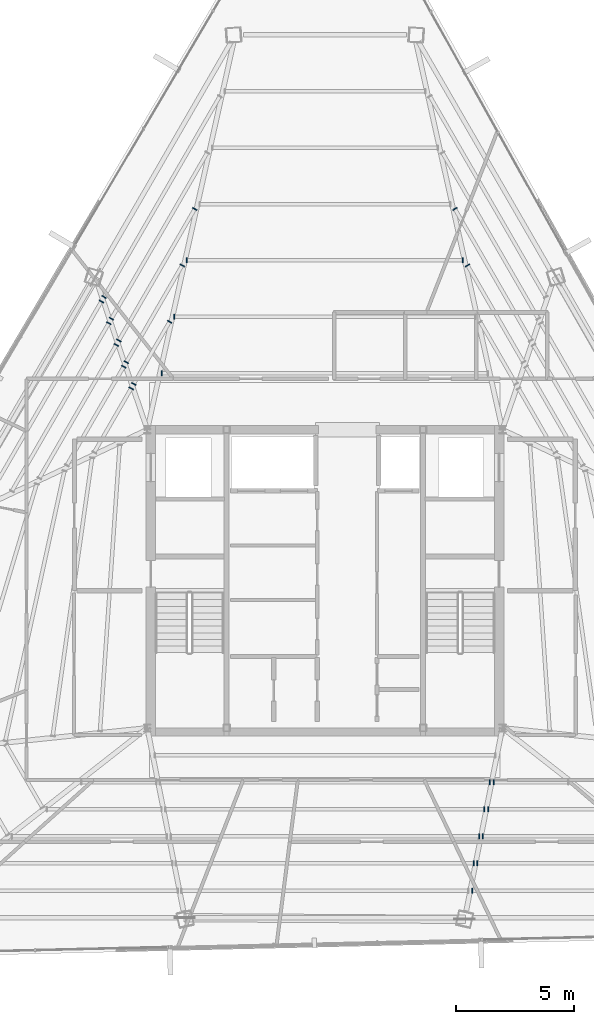
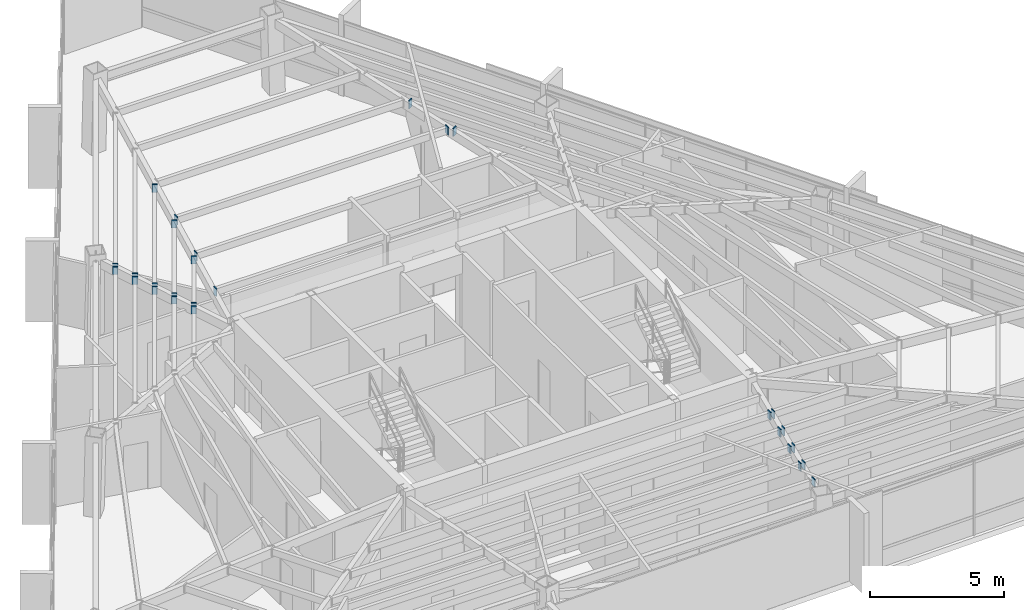
# One storey, part 39 of 47: 28 plates.
"""IFC4 building model written with IfcOpenShell, lengths in metres."""

from ifc_helpers import new_model, si_unit, direction, frame, origin, origin_2d, place, context, subcontext, project, spatial, rectangle, extrude, source, transform, mapped, material, layer, layer_set, type_object, type_shapes, element, save


model = new_model("IFC4")

# Units and contexts
model_context = context("Model", 3, precision=1e-05, world=origin(), true_north=direction((0.0, 1.0)))
body_context = subcontext(model_context, "Body", "Model", "MODEL_VIEW")
ifc_project = project(units=[si_unit("LENGTHUNIT", "METRE"), si_unit("AREAUNIT", "SQUARE_METRE"), si_unit("VOLUMEUNIT", "CUBIC_METRE"), si_unit("PLANEANGLEUNIT", "RADIAN"), si_unit("MASSUNIT", "GRAM", prefix="KILO")], contexts=[model_context])

# Site, building, storey
site_placement = place(None, origin())
site = spatial("IfcSite", under=ifc_project, at=site_placement, CompositionType="ELEMENT")
building_placement = place(site_placement, origin())
building = spatial("IfcBuilding", under=site, at=building_placement, Name="Caelisora Broadcast Tower", CompositionType="ELEMENT")
storey_placement = place(building_placement, frame((0.0, 0.0, 255.39990234375)))
storey = spatial("IfcBuildingStorey", under=building, at=storey_placement, Name="L67", CompositionType="ELEMENT", Elevation=255.39990234375)

# Plates
ifc_material = material(Name="Steel Grade 350 L15 (AS/NZS 3678)", Category="steel")
ifc_layer = layer(ifc_material, 0.0400390625, Name="Steel Grade 350 L15 (AS/NZS 3678)")
ifc_layer_set = layer_set([ifc_layer], Name="Steel Grade 350 L15 (AS/NZS 3678)")
plate_type = type_object("IfcPlateType", Name="GP04", PredefinedType="USERDEFINED", material=ifc_layer_set)
shared_shape = source(origin(), body_context, "Body", "SweptSolid", [
    extrude(rectangle(XDim=0.2099609375, YDim=0.0400390625, at=origin_2d()), origin(), (0.0, 0.0, 1.0), 0.360107421875),
])
type_shapes(plate_type, [shared_shape])
for number, where, z_axis, x_axis, name in (
    (1, (31.110595703125, 32.3828125, 3.06982421875), (0.0, 0.0, 1.0), (0.0, -1.0, 0.0), "L67 gusset plate GP04 (ND-SB-L67-001B)"),
    (2, (31.6416015625, 34.765380859375, 3.06982421875), (0.0, 0.0, 1.0), (0.0, -1.0, 0.0), "L67 gusset plate GP04 (ND-SB-L67-002B)"),
    (3, (43.827392578125, 37.148193359375, 3.06982421875), (0.0, 0.0, 1.0), (0.0, -1.0, 0.0), "L67 gusset plate GP04 (ND-SB-L67-003A)"),
    (4, (32.172607421875, 37.148193359375, 3.06982421875), (0.0, 0.0, 1.0), (0.0, -1.0, 0.0), "L67 gusset plate GP04 (ND-SB-L67-003B)"),
    (5, (31.44189453125, 34.5576171875, 3.06982421875), (0.0, 0.0, 1.0), (0.866025403784, -0.5, 0.0), "L67 gusset plate GP04 (ND-SB-L67-007A)"),
    (6, (29.926513671875, 31.9326171875, 3.06982421875), (0.0, 0.0, 1.0), (0.866025403784, -0.5, 0.0), "L67 gusset plate GP04 (ND-SB-L67-007B)"),
    (7, (31.972900390625, 36.940185546875, 3.06982421875), (0.0, 0.0, 1.0), (0.866025403784, -0.5, 0.0), "L67 gusset plate GP04 (ND-SB-L67-008A)"),
    (8, (29.6123046875, 32.851318359375, 3.06982421875), (0.0, 0.0, 1.0), (0.866025403784, -0.5, 0.0), "L67 gusset plate GP04 (ND-SB-L67-008B)"),
    (9, (32.504150390625, 39.322998046875, 3.06982421875), (0.0, 0.0, 1.0), (0.866025403784, -0.5, 0.0), "L67 gusset plate GP04 (ND-SB-L67-009A)"),
    (10, (29.298095703125, 33.770263671875, 3.06982421875), (0.0, 0.0, 1.0), (0.866025403784, -0.5, 0.0), "L67 gusset plate GP04 (ND-SB-L67-009B)"),
    (11, (28.98388671875, 34.68896484375, 3.06982421875), (0.0, 0.0, 1.0), (0.866025403784, -0.5, 0.0), "L67 gusset plate GP04 (ND-SB-L67-010B)"),
    (12, (28.669921875, 35.60791015625, 3.06982421875), (0.0, 0.0, 1.0), (0.866025403784, -0.5, 0.0), "L67 gusset plate GP04 (ND-SB-L67-011B)"),
    (13, (29.81689453125, 31.74267578125, 3.06982421875), (0.0, 0.0, 1.0), (0.866025403784, -0.5, 0.0), "L67 gusset plate GP04 (ND-SB-L67-012A)"),
    (14, (29.502685546875, 32.661376953125, 3.06982421875), (0.0, 0.0, 1.0), (0.866025403784, -0.5, 0.0), "L67 gusset plate GP04 (ND-SB-L67-013A)"),
    (15, (29.1884765625, 33.580078125, 3.06982421875), (0.0, 0.0, 1.0), (0.866025403784, -0.5, 0.0), "L67 gusset plate GP04 (ND-SB-L67-014A)"),
    (16, (28.874267578125, 34.4990234375, 3.06982421875), (0.0, 0.0, 1.0), (0.866025403784, -0.5, 0.0), "L67 gusset plate GP04 (ND-SB-L67-015A)"),
    (17, (28.56005859375, 35.417724609375, 3.06982421875), (0.0, 0.0, 1.0), (0.866025403784, -0.5, 0.0), "L67 gusset plate GP04 (ND-SB-L67-016A)"),
    (18, (44.96875, 15.10986328125, 3.06982421875), (0.0, 0.0, 1.0), (0.0, 1.0, 0.0), "L67 gusset plate GP04 (ND-SB-L67-032B)"),
    (19, (44.742431640625, 13.964599609375, 3.06982421875), (0.0, 0.0, 1.0), (0.0, 1.0, 0.0), "L67 gusset plate GP04 (ND-SB-L67-033B)"),
    (20, (44.51611328125, 12.819580078125, 3.06982421875), (0.0, 0.0, 1.0), (0.0, 1.0, 0.0), "L67 gusset plate GP04 (ND-SB-L67-034B)"),
    (21, (44.2900390625, 11.674560546875, 3.06982421875), (0.0, 0.0, 1.0), (0.0, 1.0, 0.0), "L67 gusset plate GP04 (ND-SB-L67-035B)"),
    (22, (45.12646484375, 15.10986328125, 3.06982421875), (0.0, 0.0, 1.0), (0.0, 1.0, 0.0), "L67 gusset plate GP04 (ND-SB-L67-037A)"),
    (23, (44.900390625, 13.964599609375, 3.06982421875), (0.0, 0.0, 1.0), (0.0, 1.0, 0.0), "L67 gusset plate GP04 (ND-SB-L67-038A)"),
    (24, (44.674072265625, 12.819580078125, 3.06982421875), (0.0, 0.0, 1.0), (0.0, 1.0, 0.0), "L67 gusset plate GP04 (ND-SB-L67-039A)"),
    (25, (44.44775390625, 11.674560546875, 3.06982421875), (0.0, 0.0, 1.0), (0.0, 1.0, 0.0), "L67 gusset plate GP04 (ND-SB-L67-040A)"),
    (26, (44.2216796875, 10.529541015625, 3.06982421875), (0.0, 0.0, 1.0), (0.0, 1.0, 0.0), "L67 gusset plate GP04 (ND-SB-L67-041A)"),
    (27, (44.027099609375, 36.940185546875, 3.06982421875), (0.0, 0.0, 1.0), (-0.866025403784, -0.5, 0.0), "L67 gusset plate GP04 (ND-SB-L67-057B)"),
    (28, (43.495849609375, 39.322998046875, 3.06982421875), (0.0, 0.0, 1.0), (-0.866025403784, -0.5, 0.0), "L67 gusset plate GP04 (ND-SB-L67-058B)"),
):
    element("IfcPlate", number, at=place(storey_placement, frame(where, z_axis=z_axis, x_axis=x_axis)), inside=storey, type_object=plate_type, Name=name, ObjectType="GUSSET PLATE", PredefinedType="USERDEFINED", context=body_context, shape_type="MappedRepresentation", body=[
        mapped(shared_shape, transform((0.0, 0.0, 0.0), scale=1.0)),
    ])

save(model, "model.ifc")
